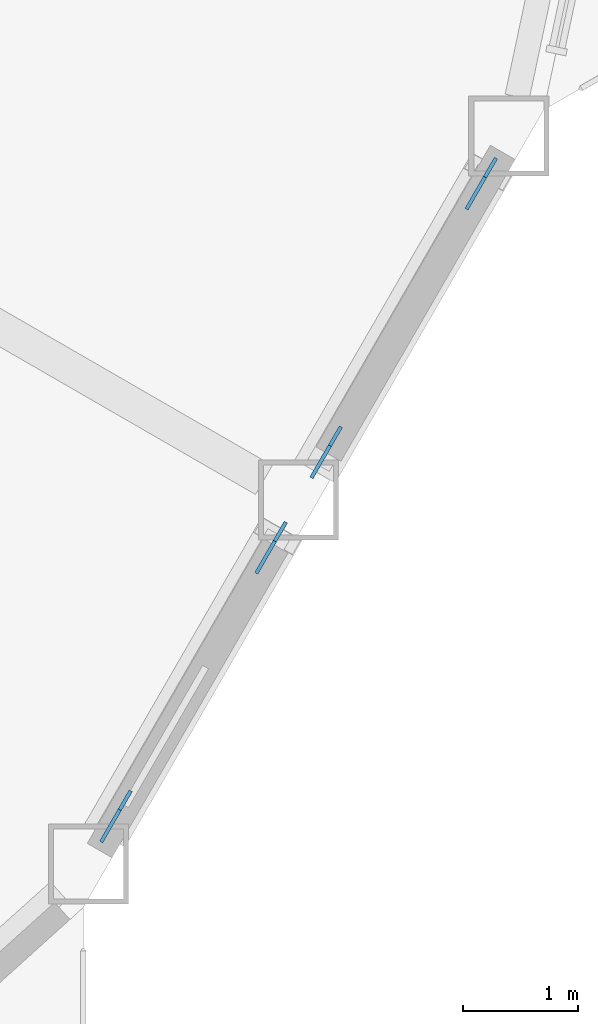
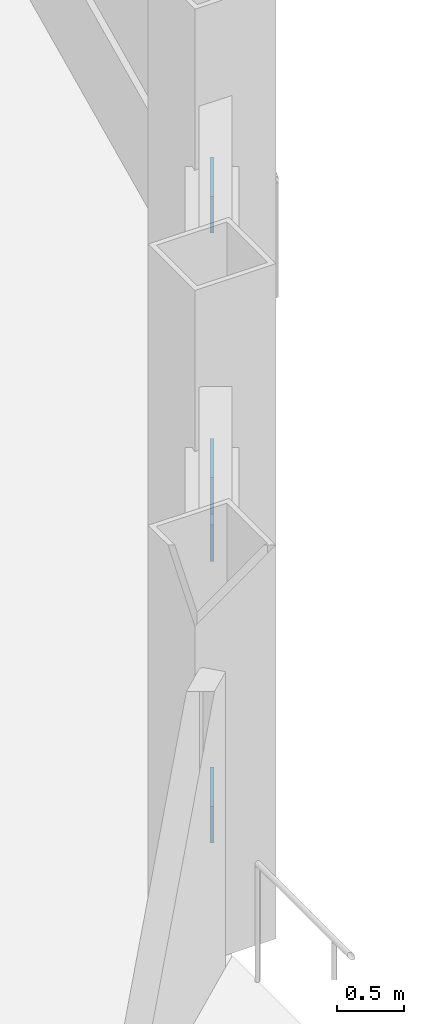
# One storey, part 17 of 23: 4 discrete accessories.
"""IFC4 building model written with IfcOpenShell, lengths in metres."""

from ifc_helpers import new_model, si_unit, direction, frame, origin, origin_2d, place, context, subcontext, project, spatial, rectangle, extrude, material, material_profile, profile_set, type_object, element, save


model = new_model("IFC4")

# Units and contexts
model_context = context("Model", 3, precision=1e-05, world=origin(), true_north=direction((0.0, 1.0)))
body_context = subcontext(model_context, "Body", "Model", "MODEL_VIEW")
ifc_project = project(units=[si_unit("LENGTHUNIT", "METRE"), si_unit("AREAUNIT", "SQUARE_METRE"), si_unit("VOLUMEUNIT", "CUBIC_METRE"), si_unit("PLANEANGLEUNIT", "RADIAN"), si_unit("MASSUNIT", "GRAM", prefix="KILO")], contexts=[model_context])

# Site, building, storey
site_placement = place(None, origin())
site = spatial("IfcSite", under=ifc_project, at=site_placement, CompositionType="ELEMENT")
building_placement = place(site_placement, origin())
building = spatial("IfcBuilding", under=site, at=building_placement, Name="Cormorant Prow Tower", CompositionType="ELEMENT")
storey_placement = place(building_placement, frame((0.0, 0.0, 252.60009765625)))
storey = spatial("IfcBuildingStorey", under=building, at=storey_placement, Name="L56", CompositionType="ELEMENT", Elevation=252.60009765625)

# Discrete accessories
ifc_material = material(Name="Structural steel ASTM A500 Gr C", Category="steel")
ifc_material_profile = material_profile(ifc_material, rectangle(XDim=0.031982421875, YDim=0.506103515625, at=origin_2d()), Name="Gusset plate 32x506")
ifc_profile_set = profile_set([ifc_material_profile], Name="Structural steel ASTM A500 Gr C")
discrete_accessory_type = type_object("IfcDiscreteAccessoryType", Name="Gusset plate 32x506", PredefinedType="BRACKET", material=ifc_profile_set)
discrete_accessory_1_placement = place(storey_placement, frame((26.262939453125, -18.658203125, 0.863037109375), z_axis=(-0.462827914709, -0.801584490837, -0.378487285673), x_axis=(0.866010015463, -0.500026652407, 0.0)))
element("IfcDiscreteAccessory", 1, at=discrete_accessory_1_placement, inside=storey, type_object=discrete_accessory_type, Name="Gusset plate GP2 L56.ESE00.g0", PredefinedType="BRACKET", context=body_context, shape_type="SweptSolid", body=[
    extrude(rectangle(XDim=0.031982421875, YDim=0.506103515625, at=origin_2d()), origin(), (0.0, 0.0, 1.0), 0.350341796875),
])
discrete_accessory_2_placement = place(storey_placement, frame((27.454833984375, -16.59375, 1.837646484375), z_axis=(0.462538490196, 0.801593854051, 0.378821116405), x_axis=(-0.866147934042, 0.499787711288, 0.0)))
element("IfcDiscreteAccessory", 2, at=discrete_accessory_2_placement, inside=storey, type_object=discrete_accessory_type, Name="Gusset plate GP2 L56.ESE00.g1", PredefinedType="BRACKET", context=body_context, shape_type="SweptSolid", body=[
    extrude(rectangle(XDim=0.031982421875, YDim=0.506103515625, at=origin_2d()), origin(), (0.0, 0.0, 1.0), 0.349853515625),
])
discrete_accessory_3_placement = place(storey_placement, frame((28.09814453125, -15.4794921875, 0.863037109375), z_axis=(-0.462827914709, -0.801584490837, -0.378487285673), x_axis=(0.866010015463, -0.500026652407, 0.0)))
element("IfcDiscreteAccessory", 3, at=discrete_accessory_3_placement, inside=storey, type_object=discrete_accessory_type, Name="Gusset plate GP2 L56.ESE01.g0", PredefinedType="BRACKET", context=body_context, shape_type="SweptSolid", body=[
    extrude(rectangle(XDim=0.031982421875, YDim=0.506103515625, at=origin_2d()), origin(), (0.0, 0.0, 1.0), 0.350341796875),
])
discrete_accessory_4_placement = place(storey_placement, frame((29.2900390625, -13.4150390625, 1.837646484375), z_axis=(0.462538490196, 0.801593854051, 0.378821116405), x_axis=(-0.866147934042, 0.499787711288, 0.0)))
element("IfcDiscreteAccessory", 4, at=discrete_accessory_4_placement, inside=storey, type_object=discrete_accessory_type, Name="Gusset plate GP2 L56.ESE01.g1", PredefinedType="BRACKET", context=body_context, shape_type="SweptSolid", body=[
    extrude(rectangle(XDim=0.031982421875, YDim=0.506103515625, at=origin_2d()), origin(), (0.0, 0.0, 1.0), 0.349853515625),
])

save(model, "model.ifc")
